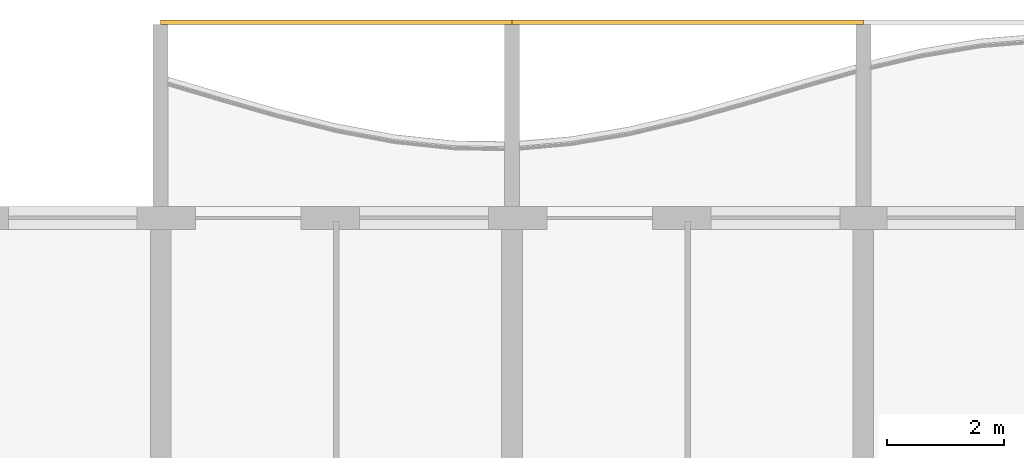
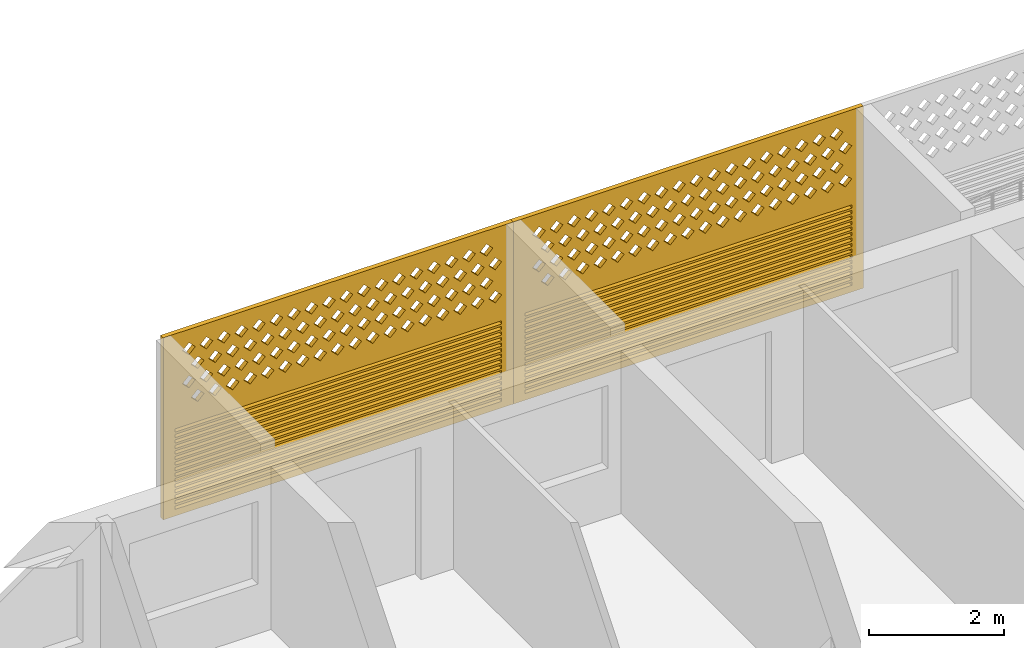
# One storey, part 20 of 24: 2 coverings.
"""IFC4 building model written with IfcOpenShell, lengths in metres."""

from ifc_helpers import new_model, si_unit, direction, frame, origin, place, context, subcontext, project, spatial, polyline, outline, extrude, source, transform, mapped, material, material_profile, profile_set, type_object, element, save


model = new_model("IFC4")

# Units and contexts
model_context = context("Model", 3, precision=1e-05, world=origin(), true_north=direction((0.0, 1.0)))
body_context = subcontext(model_context, "Body", "Model", "MODEL_VIEW")
ifc_project = project(units=[si_unit("LENGTHUNIT", "METRE"), si_unit("AREAUNIT", "SQUARE_METRE"), si_unit("VOLUMEUNIT", "CUBIC_METRE"), si_unit("PLANEANGLEUNIT", "RADIAN"), si_unit("MASSUNIT", "GRAM", prefix="KILO")], contexts=[model_context])

# Site, building, storey
site_placement = place(None, origin())
site = spatial("IfcSite", under=ifc_project, at=site_placement, CompositionType="ELEMENT")
building_placement = place(site_placement, origin())
building = spatial("IfcBuilding", under=site, at=building_placement, Name="Poui Terraces", CompositionType="ELEMENT")
storey_placement = place(building_placement, frame((0.0, 0.0, 112.5)))
storey = spatial("IfcBuildingStorey", under=building, at=storey_placement, Name="L31", CompositionType="ELEMENT", Elevation=112.5)

# Coverings
ifc_material = material(Name="Terracotta screen", Category="masonry")
ifc_material_profile = material_profile(ifc_material, outline(polyline([(-3.0, -1.64990234375), (3.0, -1.64990234375), (3.0, 1.64990234375), (-3.0, 1.64990234375), (-3.0, -1.64990234375)]), holes=[polyline([(-2.800048828125, 0.39990234375), (-2.68994140625, 0.2900390625), (-2.580078125, 0.39990234375), (-2.68994140625, 0.510009765625), (-2.800048828125, 0.39990234375)]), polyline([(-2.5, 0.39990234375), (-2.389892578125, 0.2900390625), (-2.280029296875, 0.39990234375), (-2.389892578125, 0.510009765625), (-2.5, 0.39990234375)]), polyline([(-2.199951171875, 0.39990234375), (-2.090087890625, 0.2900390625), (-1.97998046875, 0.39990234375), (-2.090087890625, 0.510009765625), (-2.199951171875, 0.39990234375)]), polyline([(-1.89990234375, 0.39990234375), (-1.7900390625, 0.2900390625), (-1.679931640625, 0.39990234375), (-1.7900390625, 0.510009765625), (-1.89990234375, 0.39990234375)]), polyline([(-1.60009765625, 0.39990234375), (-1.489990234375, 0.2900390625), (-1.3798828125, 0.39990234375), (-1.489990234375, 0.510009765625), (-1.60009765625, 0.39990234375)]), polyline([(-1.300048828125, 0.39990234375), (-1.18994140625, 0.2900390625), (-1.080078125, 0.39990234375), (-1.18994140625, 0.510009765625), (-1.300048828125, 0.39990234375)]), polyline([(-1.0, 0.39990234375), (-0.889892578125, 0.2900390625), (-0.780029296875, 0.39990234375), (-0.889892578125, 0.510009765625), (-1.0, 0.39990234375)]), polyline([(-0.699951171875, 0.39990234375), (-0.590087890625, 0.2900390625), (-0.47998046875, 0.39990234375), (-0.590087890625, 0.510009765625), (-0.699951171875, 0.39990234375)]), polyline([(-0.39990234375, 0.39990234375), (-0.2900390625, 0.2900390625), (-0.179931640625, 0.39990234375), (-0.2900390625, 0.510009765625), (-0.39990234375, 0.39990234375)]), polyline([(-0.10009765625, 0.39990234375), (0.010009765625, 0.2900390625), (0.1201171875, 0.39990234375), (0.010009765625, 0.510009765625), (-0.10009765625, 0.39990234375)]), polyline([(0.199951171875, 0.39990234375), (0.31005859375, 0.2900390625), (0.419921875, 0.39990234375), (0.31005859375, 0.510009765625), (0.199951171875, 0.39990234375)]), polyline([(0.5, 0.39990234375), (0.610107421875, 0.2900390625), (0.719970703125, 0.39990234375), (0.610107421875, 0.510009765625), (0.5, 0.39990234375)]), polyline([(0.800048828125, 0.39990234375), (0.909912109375, 0.2900390625), (1.02001953125, 0.39990234375), (0.909912109375, 0.510009765625), (0.800048828125, 0.39990234375)]), polyline([(1.10009765625, 0.39990234375), (1.2099609375, 0.2900390625), (1.320068359375, 0.39990234375), (1.2099609375, 0.510009765625), (1.10009765625, 0.39990234375)]), polyline([(1.39990234375, 0.39990234375), (1.510009765625, 0.2900390625), (1.6201171875, 0.39990234375), (1.510009765625, 0.510009765625), (1.39990234375, 0.39990234375)]), polyline([(1.699951171875, 0.39990234375), (1.81005859375, 0.2900390625), (1.919921875, 0.39990234375), (1.81005859375, 0.510009765625), (1.699951171875, 0.39990234375)]), polyline([(2.0, 0.39990234375), (2.110107421875, 0.2900390625), (2.219970703125, 0.39990234375), (2.110107421875, 0.510009765625), (2.0, 0.39990234375)]), polyline([(2.300048828125, 0.39990234375), (2.409912109375, 0.2900390625), (2.52001953125, 0.39990234375), (2.409912109375, 0.510009765625), (2.300048828125, 0.39990234375)]), polyline([(-2.64990234375, 0.699951171875), (-2.5400390625, 0.590087890625), (-2.429931640625, 0.699951171875), (-2.5400390625, 0.81005859375), (-2.64990234375, 0.699951171875)]), polyline([(-2.35009765625, 0.699951171875), (-2.239990234375, 0.590087890625), (-2.1298828125, 0.699951171875), (-2.239990234375, 0.81005859375), (-2.35009765625, 0.699951171875)]), polyline([(-2.050048828125, 0.699951171875), (-1.93994140625, 0.590087890625), (-1.830078125, 0.699951171875), (-1.93994140625, 0.81005859375), (-2.050048828125, 0.699951171875)]), polyline([(-1.75, 0.699951171875), (-1.639892578125, 0.590087890625), (-1.530029296875, 0.699951171875), (-1.639892578125, 0.81005859375), (-1.75, 0.699951171875)]), polyline([(-1.449951171875, 0.699951171875), (-1.340087890625, 0.590087890625), (-1.22998046875, 0.699951171875), (-1.340087890625, 0.81005859375), (-1.449951171875, 0.699951171875)]), polyline([(-1.14990234375, 0.699951171875), (-1.0400390625, 0.590087890625), (-0.929931640625, 0.699951171875), (-1.0400390625, 0.81005859375), (-1.14990234375, 0.699951171875)]), polyline([(-0.85009765625, 0.699951171875), (-0.739990234375, 0.590087890625), (-0.6298828125, 0.699951171875), (-0.739990234375, 0.81005859375), (-0.85009765625, 0.699951171875)]), polyline([(-0.550048828125, 0.699951171875), (-0.43994140625, 0.590087890625), (-0.330078125, 0.699951171875), (-0.43994140625, 0.81005859375), (-0.550048828125, 0.699951171875)]), polyline([(-0.25, 0.699951171875), (-0.139892578125, 0.590087890625), (-0.030029296875, 0.699951171875), (-0.139892578125, 0.81005859375), (-0.25, 0.699951171875)]), polyline([(0.050048828125, 0.699951171875), (0.159912109375, 0.590087890625), (0.27001953125, 0.699951171875), (0.159912109375, 0.81005859375), (0.050048828125, 0.699951171875)]), polyline([(0.35009765625, 0.699951171875), (0.4599609375, 0.590087890625), (0.570068359375, 0.699951171875), (0.4599609375, 0.81005859375), (0.35009765625, 0.699951171875)]), polyline([(0.64990234375, 0.699951171875), (0.760009765625, 0.590087890625), (0.8701171875, 0.699951171875), (0.760009765625, 0.81005859375), (0.64990234375, 0.699951171875)]), polyline([(0.949951171875, 0.699951171875), (1.06005859375, 0.590087890625), (1.169921875, 0.699951171875), (1.06005859375, 0.81005859375), (0.949951171875, 0.699951171875)]), polyline([(1.25, 0.699951171875), (1.360107421875, 0.590087890625), (1.469970703125, 0.699951171875), (1.360107421875, 0.81005859375), (1.25, 0.699951171875)]), polyline([(1.550048828125, 0.699951171875), (1.659912109375, 0.590087890625), (1.77001953125, 0.699951171875), (1.659912109375, 0.81005859375), (1.550048828125, 0.699951171875)]), polyline([(1.85009765625, 0.699951171875), (1.9599609375, 0.590087890625), (2.070068359375, 0.699951171875), (1.9599609375, 0.81005859375), (1.85009765625, 0.699951171875)]), polyline([(2.14990234375, 0.699951171875), (2.260009765625, 0.590087890625), (2.3701171875, 0.699951171875), (2.260009765625, 0.81005859375), (2.14990234375, 0.699951171875)]), polyline([(2.449951171875, 0.699951171875), (2.56005859375, 0.590087890625), (2.669921875, 0.699951171875), (2.56005859375, 0.81005859375), (2.449951171875, 0.699951171875)]), polyline([(-2.800048828125, 1.0), (-2.68994140625, 0.889892578125), (-2.580078125, 1.0), (-2.68994140625, 1.110107421875), (-2.800048828125, 1.0)]), polyline([(-2.5, 1.0), (-2.389892578125, 0.889892578125), (-2.280029296875, 1.0), (-2.389892578125, 1.110107421875), (-2.5, 1.0)]), polyline([(-2.199951171875, 1.0), (-2.090087890625, 0.889892578125), (-1.97998046875, 1.0), (-2.090087890625, 1.110107421875), (-2.199951171875, 1.0)]), polyline([(-1.89990234375, 1.0), (-1.7900390625, 0.889892578125), (-1.679931640625, 1.0), (-1.7900390625, 1.110107421875), (-1.89990234375, 1.0)]), polyline([(-1.60009765625, 1.0), (-1.489990234375, 0.889892578125), (-1.3798828125, 1.0), (-1.489990234375, 1.110107421875), (-1.60009765625, 1.0)]), polyline([(-1.300048828125, 1.0), (-1.18994140625, 0.889892578125), (-1.080078125, 1.0), (-1.18994140625, 1.110107421875), (-1.300048828125, 1.0)]), polyline([(-1.0, 1.0), (-0.889892578125, 0.889892578125), (-0.780029296875, 1.0), (-0.889892578125, 1.110107421875), (-1.0, 1.0)]), polyline([(-0.699951171875, 1.0), (-0.590087890625, 0.889892578125), (-0.47998046875, 1.0), (-0.590087890625, 1.110107421875), (-0.699951171875, 1.0)]), polyline([(-0.39990234375, 1.0), (-0.2900390625, 0.889892578125), (-0.179931640625, 1.0), (-0.2900390625, 1.110107421875), (-0.39990234375, 1.0)]), polyline([(-0.10009765625, 1.0), (0.010009765625, 0.889892578125), (0.1201171875, 1.0), (0.010009765625, 1.110107421875), (-0.10009765625, 1.0)]), polyline([(0.199951171875, 1.0), (0.31005859375, 0.889892578125), (0.419921875, 1.0), (0.31005859375, 1.110107421875), (0.199951171875, 1.0)]), polyline([(0.5, 1.0), (0.610107421875, 0.889892578125), (0.719970703125, 1.0), (0.610107421875, 1.110107421875), (0.5, 1.0)]), polyline([(0.800048828125, 1.0), (0.909912109375, 0.889892578125), (1.02001953125, 1.0), (0.909912109375, 1.110107421875), (0.800048828125, 1.0)]), polyline([(1.10009765625, 1.0), (1.2099609375, 0.889892578125), (1.320068359375, 1.0), (1.2099609375, 1.110107421875), (1.10009765625, 1.0)]), polyline([(1.39990234375, 1.0), (1.510009765625, 0.889892578125), (1.6201171875, 1.0), (1.510009765625, 1.110107421875), (1.39990234375, 1.0)]), polyline([(1.699951171875, 1.0), (1.81005859375, 0.889892578125), (1.919921875, 1.0), (1.81005859375, 1.110107421875), (1.699951171875, 1.0)]), polyline([(2.0, 1.0), (2.110107421875, 0.889892578125), (2.219970703125, 1.0), (2.110107421875, 1.110107421875), (2.0, 1.0)]), polyline([(2.300048828125, 1.0), (2.409912109375, 0.889892578125), (2.52001953125, 1.0), (2.409912109375, 1.110107421875), (2.300048828125, 1.0)]), polyline([(-2.64990234375, 1.300048828125), (-2.5400390625, 1.18994140625), (-2.429931640625, 1.300048828125), (-2.5400390625, 1.409912109375), (-2.64990234375, 1.300048828125)]), polyline([(-2.35009765625, 1.300048828125), (-2.239990234375, 1.18994140625), (-2.1298828125, 1.300048828125), (-2.239990234375, 1.409912109375), (-2.35009765625, 1.300048828125)]), polyline([(-2.050048828125, 1.300048828125), (-1.93994140625, 1.18994140625), (-1.830078125, 1.300048828125), (-1.93994140625, 1.409912109375), (-2.050048828125, 1.300048828125)]), polyline([(-1.75, 1.300048828125), (-1.639892578125, 1.18994140625), (-1.530029296875, 1.300048828125), (-1.639892578125, 1.409912109375), (-1.75, 1.300048828125)]), polyline([(-1.449951171875, 1.300048828125), (-1.340087890625, 1.18994140625), (-1.22998046875, 1.300048828125), (-1.340087890625, 1.409912109375), (-1.449951171875, 1.300048828125)]), polyline([(-1.14990234375, 1.300048828125), (-1.0400390625, 1.18994140625), (-0.929931640625, 1.300048828125), (-1.0400390625, 1.409912109375), (-1.14990234375, 1.300048828125)]), polyline([(-0.85009765625, 1.300048828125), (-0.739990234375, 1.18994140625), (-0.6298828125, 1.300048828125), (-0.739990234375, 1.409912109375), (-0.85009765625, 1.300048828125)]), polyline([(-0.550048828125, 1.300048828125), (-0.43994140625, 1.18994140625), (-0.330078125, 1.300048828125), (-0.43994140625, 1.409912109375), (-0.550048828125, 1.300048828125)]), polyline([(-0.25, 1.300048828125), (-0.139892578125, 1.18994140625), (-0.030029296875, 1.300048828125), (-0.139892578125, 1.409912109375), (-0.25, 1.300048828125)]), polyline([(0.050048828125, 1.300048828125), (0.159912109375, 1.18994140625), (0.27001953125, 1.300048828125), (0.159912109375, 1.409912109375), (0.050048828125, 1.300048828125)]), polyline([(0.35009765625, 1.300048828125), (0.4599609375, 1.18994140625), (0.570068359375, 1.300048828125), (0.4599609375, 1.409912109375), (0.35009765625, 1.300048828125)]), polyline([(0.64990234375, 1.300048828125), (0.760009765625, 1.18994140625), (0.8701171875, 1.300048828125), (0.760009765625, 1.409912109375), (0.64990234375, 1.300048828125)]), polyline([(0.949951171875, 1.300048828125), (1.06005859375, 1.18994140625), (1.169921875, 1.300048828125), (1.06005859375, 1.409912109375), (0.949951171875, 1.300048828125)]), polyline([(1.25, 1.300048828125), (1.360107421875, 1.18994140625), (1.469970703125, 1.300048828125), (1.360107421875, 1.409912109375), (1.25, 1.300048828125)]), polyline([(1.550048828125, 1.300048828125), (1.659912109375, 1.18994140625), (1.77001953125, 1.300048828125), (1.659912109375, 1.409912109375), (1.550048828125, 1.300048828125)]), polyline([(1.85009765625, 1.300048828125), (1.9599609375, 1.18994140625), (2.070068359375, 1.300048828125), (1.9599609375, 1.409912109375), (1.85009765625, 1.300048828125)]), polyline([(2.14990234375, 1.300048828125), (2.260009765625, 1.18994140625), (2.3701171875, 1.300048828125), (2.260009765625, 1.409912109375), (2.14990234375, 1.300048828125)]), polyline([(2.449951171875, 1.300048828125), (2.56005859375, 1.18994140625), (2.669921875, 1.300048828125), (2.56005859375, 1.409912109375), (2.449951171875, 1.300048828125)]), polyline([(-2.800048828125, -1.530029296875), (2.800048828125, -1.530029296875), (2.800048828125, -1.469970703125), (-2.800048828125, -1.469970703125), (-2.800048828125, -1.530029296875)]), polyline([(-2.800048828125, -1.429931640625), (2.800048828125, -1.429931640625), (2.800048828125, -1.3701171875), (-2.800048828125, -1.3701171875), (-2.800048828125, -1.429931640625)]), polyline([(-2.800048828125, -1.330078125), (2.800048828125, -1.330078125), (2.800048828125, -1.27001953125), (-2.800048828125, -1.27001953125), (-2.800048828125, -1.330078125)]), polyline([(-2.800048828125, -1.22998046875), (2.800048828125, -1.22998046875), (2.800048828125, -1.169921875), (-2.800048828125, -1.169921875), (-2.800048828125, -1.22998046875)]), polyline([(-2.800048828125, -1.1298828125), (2.800048828125, -1.1298828125), (2.800048828125, -1.070068359375), (-2.800048828125, -1.070068359375), (-2.800048828125, -1.1298828125)]), polyline([(-2.800048828125, -1.030029296875), (2.800048828125, -1.030029296875), (2.800048828125, -0.969970703125), (-2.800048828125, -0.969970703125), (-2.800048828125, -1.030029296875)]), polyline([(-2.800048828125, -0.929931640625), (2.800048828125, -0.929931640625), (2.800048828125, -0.8701171875), (-2.800048828125, -0.8701171875), (-2.800048828125, -0.929931640625)]), polyline([(-2.800048828125, -0.830078125), (2.800048828125, -0.830078125), (2.800048828125, -0.77001953125), (-2.800048828125, -0.77001953125), (-2.800048828125, -0.830078125)]), polyline([(-2.800048828125, -0.72998046875), (2.800048828125, -0.72998046875), (2.800048828125, -0.669921875), (-2.800048828125, -0.669921875), (-2.800048828125, -0.72998046875)]), polyline([(-2.800048828125, -0.6298828125), (2.800048828125, -0.6298828125), (2.800048828125, -0.570068359375), (-2.800048828125, -0.570068359375), (-2.800048828125, -0.6298828125)]), polyline([(-2.800048828125, -0.530029296875), (2.800048828125, -0.530029296875), (2.800048828125, -0.469970703125), (-2.800048828125, -0.469970703125), (-2.800048828125, -0.530029296875)]), polyline([(-2.800048828125, -0.429931640625), (2.800048828125, -0.429931640625), (2.800048828125, -0.3701171875), (-2.800048828125, -0.3701171875), (-2.800048828125, -0.429931640625)]), polyline([(-2.800048828125, -0.330078125), (2.800048828125, -0.330078125), (2.800048828125, -0.27001953125), (-2.800048828125, -0.27001953125), (-2.800048828125, -0.330078125)]), polyline([(-2.800048828125, -0.22998046875), (2.800048828125, -0.22998046875), (2.800048828125, -0.169921875), (-2.800048828125, -0.169921875), (-2.800048828125, -0.22998046875)]), polyline([(-2.800048828125, -0.1298828125), (2.800048828125, -0.1298828125), (2.800048828125, -0.070068359375), (-2.800048828125, -0.070068359375), (-2.800048828125, -0.1298828125)])]), Name="TERRACOTTA SCREEN AND JALOUSIE LOUVRE 6000X3300")
ifc_profile_set = profile_set([ifc_material_profile], Name="Terracotta screen")
covering_type = type_object("IfcCoveringType", Name="TERRACOTTA SCREEN AND JALOUSIE LOUVRE 6000X3300", PredefinedType="CLADDING", material=ifc_profile_set)
shared_shape = source(origin(), body_context, "Body", "SweptSolid", [
    extrude(outline(polyline([(-3.0, -1.64990234375), (3.0, -1.64990234375), (3.0, 1.64990234375), (-3.0, 1.64990234375), (-3.0, -1.64990234375)]), holes=[polyline([(-2.800048828125, 0.39990234375), (-2.68994140625, 0.2900390625), (-2.580078125, 0.39990234375), (-2.68994140625, 0.510009765625), (-2.800048828125, 0.39990234375)]), polyline([(-2.5, 0.39990234375), (-2.389892578125, 0.2900390625), (-2.280029296875, 0.39990234375), (-2.389892578125, 0.510009765625), (-2.5, 0.39990234375)]), polyline([(-2.199951171875, 0.39990234375), (-2.090087890625, 0.2900390625), (-1.97998046875, 0.39990234375), (-2.090087890625, 0.510009765625), (-2.199951171875, 0.39990234375)]), polyline([(-1.89990234375, 0.39990234375), (-1.7900390625, 0.2900390625), (-1.679931640625, 0.39990234375), (-1.7900390625, 0.510009765625), (-1.89990234375, 0.39990234375)]), polyline([(-1.60009765625, 0.39990234375), (-1.489990234375, 0.2900390625), (-1.3798828125, 0.39990234375), (-1.489990234375, 0.510009765625), (-1.60009765625, 0.39990234375)]), polyline([(-1.300048828125, 0.39990234375), (-1.18994140625, 0.2900390625), (-1.080078125, 0.39990234375), (-1.18994140625, 0.510009765625), (-1.300048828125, 0.39990234375)]), polyline([(-1.0, 0.39990234375), (-0.889892578125, 0.2900390625), (-0.780029296875, 0.39990234375), (-0.889892578125, 0.510009765625), (-1.0, 0.39990234375)]), polyline([(-0.699951171875, 0.39990234375), (-0.590087890625, 0.2900390625), (-0.47998046875, 0.39990234375), (-0.590087890625, 0.510009765625), (-0.699951171875, 0.39990234375)]), polyline([(-0.39990234375, 0.39990234375), (-0.2900390625, 0.2900390625), (-0.179931640625, 0.39990234375), (-0.2900390625, 0.510009765625), (-0.39990234375, 0.39990234375)]), polyline([(-0.10009765625, 0.39990234375), (0.010009765625, 0.2900390625), (0.1201171875, 0.39990234375), (0.010009765625, 0.510009765625), (-0.10009765625, 0.39990234375)]), polyline([(0.199951171875, 0.39990234375), (0.31005859375, 0.2900390625), (0.419921875, 0.39990234375), (0.31005859375, 0.510009765625), (0.199951171875, 0.39990234375)]), polyline([(0.5, 0.39990234375), (0.610107421875, 0.2900390625), (0.719970703125, 0.39990234375), (0.610107421875, 0.510009765625), (0.5, 0.39990234375)]), polyline([(0.800048828125, 0.39990234375), (0.909912109375, 0.2900390625), (1.02001953125, 0.39990234375), (0.909912109375, 0.510009765625), (0.800048828125, 0.39990234375)]), polyline([(1.10009765625, 0.39990234375), (1.2099609375, 0.2900390625), (1.320068359375, 0.39990234375), (1.2099609375, 0.510009765625), (1.10009765625, 0.39990234375)]), polyline([(1.39990234375, 0.39990234375), (1.510009765625, 0.2900390625), (1.6201171875, 0.39990234375), (1.510009765625, 0.510009765625), (1.39990234375, 0.39990234375)]), polyline([(1.699951171875, 0.39990234375), (1.81005859375, 0.2900390625), (1.919921875, 0.39990234375), (1.81005859375, 0.510009765625), (1.699951171875, 0.39990234375)]), polyline([(2.0, 0.39990234375), (2.110107421875, 0.2900390625), (2.219970703125, 0.39990234375), (2.110107421875, 0.510009765625), (2.0, 0.39990234375)]), polyline([(2.300048828125, 0.39990234375), (2.409912109375, 0.2900390625), (2.52001953125, 0.39990234375), (2.409912109375, 0.510009765625), (2.300048828125, 0.39990234375)]), polyline([(-2.64990234375, 0.699951171875), (-2.5400390625, 0.590087890625), (-2.429931640625, 0.699951171875), (-2.5400390625, 0.81005859375), (-2.64990234375, 0.699951171875)]), polyline([(-2.35009765625, 0.699951171875), (-2.239990234375, 0.590087890625), (-2.1298828125, 0.699951171875), (-2.239990234375, 0.81005859375), (-2.35009765625, 0.699951171875)]), polyline([(-2.050048828125, 0.699951171875), (-1.93994140625, 0.590087890625), (-1.830078125, 0.699951171875), (-1.93994140625, 0.81005859375), (-2.050048828125, 0.699951171875)]), polyline([(-1.75, 0.699951171875), (-1.639892578125, 0.590087890625), (-1.530029296875, 0.699951171875), (-1.639892578125, 0.81005859375), (-1.75, 0.699951171875)]), polyline([(-1.449951171875, 0.699951171875), (-1.340087890625, 0.590087890625), (-1.22998046875, 0.699951171875), (-1.340087890625, 0.81005859375), (-1.449951171875, 0.699951171875)]), polyline([(-1.14990234375, 0.699951171875), (-1.0400390625, 0.590087890625), (-0.929931640625, 0.699951171875), (-1.0400390625, 0.81005859375), (-1.14990234375, 0.699951171875)]), polyline([(-0.85009765625, 0.699951171875), (-0.739990234375, 0.590087890625), (-0.6298828125, 0.699951171875), (-0.739990234375, 0.81005859375), (-0.85009765625, 0.699951171875)]), polyline([(-0.550048828125, 0.699951171875), (-0.43994140625, 0.590087890625), (-0.330078125, 0.699951171875), (-0.43994140625, 0.81005859375), (-0.550048828125, 0.699951171875)]), polyline([(-0.25, 0.699951171875), (-0.139892578125, 0.590087890625), (-0.030029296875, 0.699951171875), (-0.139892578125, 0.81005859375), (-0.25, 0.699951171875)]), polyline([(0.050048828125, 0.699951171875), (0.159912109375, 0.590087890625), (0.27001953125, 0.699951171875), (0.159912109375, 0.81005859375), (0.050048828125, 0.699951171875)]), polyline([(0.35009765625, 0.699951171875), (0.4599609375, 0.590087890625), (0.570068359375, 0.699951171875), (0.4599609375, 0.81005859375), (0.35009765625, 0.699951171875)]), polyline([(0.64990234375, 0.699951171875), (0.760009765625, 0.590087890625), (0.8701171875, 0.699951171875), (0.760009765625, 0.81005859375), (0.64990234375, 0.699951171875)]), polyline([(0.949951171875, 0.699951171875), (1.06005859375, 0.590087890625), (1.169921875, 0.699951171875), (1.06005859375, 0.81005859375), (0.949951171875, 0.699951171875)]), polyline([(1.25, 0.699951171875), (1.360107421875, 0.590087890625), (1.469970703125, 0.699951171875), (1.360107421875, 0.81005859375), (1.25, 0.699951171875)]), polyline([(1.550048828125, 0.699951171875), (1.659912109375, 0.590087890625), (1.77001953125, 0.699951171875), (1.659912109375, 0.81005859375), (1.550048828125, 0.699951171875)]), polyline([(1.85009765625, 0.699951171875), (1.9599609375, 0.590087890625), (2.070068359375, 0.699951171875), (1.9599609375, 0.81005859375), (1.85009765625, 0.699951171875)]), polyline([(2.14990234375, 0.699951171875), (2.260009765625, 0.590087890625), (2.3701171875, 0.699951171875), (2.260009765625, 0.81005859375), (2.14990234375, 0.699951171875)]), polyline([(2.449951171875, 0.699951171875), (2.56005859375, 0.590087890625), (2.669921875, 0.699951171875), (2.56005859375, 0.81005859375), (2.449951171875, 0.699951171875)]), polyline([(-2.800048828125, 1.0), (-2.68994140625, 0.889892578125), (-2.580078125, 1.0), (-2.68994140625, 1.110107421875), (-2.800048828125, 1.0)]), polyline([(-2.5, 1.0), (-2.389892578125, 0.889892578125), (-2.280029296875, 1.0), (-2.389892578125, 1.110107421875), (-2.5, 1.0)]), polyline([(-2.199951171875, 1.0), (-2.090087890625, 0.889892578125), (-1.97998046875, 1.0), (-2.090087890625, 1.110107421875), (-2.199951171875, 1.0)]), polyline([(-1.89990234375, 1.0), (-1.7900390625, 0.889892578125), (-1.679931640625, 1.0), (-1.7900390625, 1.110107421875), (-1.89990234375, 1.0)]), polyline([(-1.60009765625, 1.0), (-1.489990234375, 0.889892578125), (-1.3798828125, 1.0), (-1.489990234375, 1.110107421875), (-1.60009765625, 1.0)]), polyline([(-1.300048828125, 1.0), (-1.18994140625, 0.889892578125), (-1.080078125, 1.0), (-1.18994140625, 1.110107421875), (-1.300048828125, 1.0)]), polyline([(-1.0, 1.0), (-0.889892578125, 0.889892578125), (-0.780029296875, 1.0), (-0.889892578125, 1.110107421875), (-1.0, 1.0)]), polyline([(-0.699951171875, 1.0), (-0.590087890625, 0.889892578125), (-0.47998046875, 1.0), (-0.590087890625, 1.110107421875), (-0.699951171875, 1.0)]), polyline([(-0.39990234375, 1.0), (-0.2900390625, 0.889892578125), (-0.179931640625, 1.0), (-0.2900390625, 1.110107421875), (-0.39990234375, 1.0)]), polyline([(-0.10009765625, 1.0), (0.010009765625, 0.889892578125), (0.1201171875, 1.0), (0.010009765625, 1.110107421875), (-0.10009765625, 1.0)]), polyline([(0.199951171875, 1.0), (0.31005859375, 0.889892578125), (0.419921875, 1.0), (0.31005859375, 1.110107421875), (0.199951171875, 1.0)]), polyline([(0.5, 1.0), (0.610107421875, 0.889892578125), (0.719970703125, 1.0), (0.610107421875, 1.110107421875), (0.5, 1.0)]), polyline([(0.800048828125, 1.0), (0.909912109375, 0.889892578125), (1.02001953125, 1.0), (0.909912109375, 1.110107421875), (0.800048828125, 1.0)]), polyline([(1.10009765625, 1.0), (1.2099609375, 0.889892578125), (1.320068359375, 1.0), (1.2099609375, 1.110107421875), (1.10009765625, 1.0)]), polyline([(1.39990234375, 1.0), (1.510009765625, 0.889892578125), (1.6201171875, 1.0), (1.510009765625, 1.110107421875), (1.39990234375, 1.0)]), polyline([(1.699951171875, 1.0), (1.81005859375, 0.889892578125), (1.919921875, 1.0), (1.81005859375, 1.110107421875), (1.699951171875, 1.0)]), polyline([(2.0, 1.0), (2.110107421875, 0.889892578125), (2.219970703125, 1.0), (2.110107421875, 1.110107421875), (2.0, 1.0)]), polyline([(2.300048828125, 1.0), (2.409912109375, 0.889892578125), (2.52001953125, 1.0), (2.409912109375, 1.110107421875), (2.300048828125, 1.0)]), polyline([(-2.64990234375, 1.300048828125), (-2.5400390625, 1.18994140625), (-2.429931640625, 1.300048828125), (-2.5400390625, 1.409912109375), (-2.64990234375, 1.300048828125)]), polyline([(-2.35009765625, 1.300048828125), (-2.239990234375, 1.18994140625), (-2.1298828125, 1.300048828125), (-2.239990234375, 1.409912109375), (-2.35009765625, 1.300048828125)]), polyline([(-2.050048828125, 1.300048828125), (-1.93994140625, 1.18994140625), (-1.830078125, 1.300048828125), (-1.93994140625, 1.409912109375), (-2.050048828125, 1.300048828125)]), polyline([(-1.75, 1.300048828125), (-1.639892578125, 1.18994140625), (-1.530029296875, 1.300048828125), (-1.639892578125, 1.409912109375), (-1.75, 1.300048828125)]), polyline([(-1.449951171875, 1.300048828125), (-1.340087890625, 1.18994140625), (-1.22998046875, 1.300048828125), (-1.340087890625, 1.409912109375), (-1.449951171875, 1.300048828125)]), polyline([(-1.14990234375, 1.300048828125), (-1.0400390625, 1.18994140625), (-0.929931640625, 1.300048828125), (-1.0400390625, 1.409912109375), (-1.14990234375, 1.300048828125)]), polyline([(-0.85009765625, 1.300048828125), (-0.739990234375, 1.18994140625), (-0.6298828125, 1.300048828125), (-0.739990234375, 1.409912109375), (-0.85009765625, 1.300048828125)]), polyline([(-0.550048828125, 1.300048828125), (-0.43994140625, 1.18994140625), (-0.330078125, 1.300048828125), (-0.43994140625, 1.409912109375), (-0.550048828125, 1.300048828125)]), polyline([(-0.25, 1.300048828125), (-0.139892578125, 1.18994140625), (-0.030029296875, 1.300048828125), (-0.139892578125, 1.409912109375), (-0.25, 1.300048828125)]), polyline([(0.050048828125, 1.300048828125), (0.159912109375, 1.18994140625), (0.27001953125, 1.300048828125), (0.159912109375, 1.409912109375), (0.050048828125, 1.300048828125)]), polyline([(0.35009765625, 1.300048828125), (0.4599609375, 1.18994140625), (0.570068359375, 1.300048828125), (0.4599609375, 1.409912109375), (0.35009765625, 1.300048828125)]), polyline([(0.64990234375, 1.300048828125), (0.760009765625, 1.18994140625), (0.8701171875, 1.300048828125), (0.760009765625, 1.409912109375), (0.64990234375, 1.300048828125)]), polyline([(0.949951171875, 1.300048828125), (1.06005859375, 1.18994140625), (1.169921875, 1.300048828125), (1.06005859375, 1.409912109375), (0.949951171875, 1.300048828125)]), polyline([(1.25, 1.300048828125), (1.360107421875, 1.18994140625), (1.469970703125, 1.300048828125), (1.360107421875, 1.409912109375), (1.25, 1.300048828125)]), polyline([(1.550048828125, 1.300048828125), (1.659912109375, 1.18994140625), (1.77001953125, 1.300048828125), (1.659912109375, 1.409912109375), (1.550048828125, 1.300048828125)]), polyline([(1.85009765625, 1.300048828125), (1.9599609375, 1.18994140625), (2.070068359375, 1.300048828125), (1.9599609375, 1.409912109375), (1.85009765625, 1.300048828125)]), polyline([(2.14990234375, 1.300048828125), (2.260009765625, 1.18994140625), (2.3701171875, 1.300048828125), (2.260009765625, 1.409912109375), (2.14990234375, 1.300048828125)]), polyline([(2.449951171875, 1.300048828125), (2.56005859375, 1.18994140625), (2.669921875, 1.300048828125), (2.56005859375, 1.409912109375), (2.449951171875, 1.300048828125)]), polyline([(-2.800048828125, -1.530029296875), (2.800048828125, -1.530029296875), (2.800048828125, -1.469970703125), (-2.800048828125, -1.469970703125), (-2.800048828125, -1.530029296875)]), polyline([(-2.800048828125, -1.429931640625), (2.800048828125, -1.429931640625), (2.800048828125, -1.3701171875), (-2.800048828125, -1.3701171875), (-2.800048828125, -1.429931640625)]), polyline([(-2.800048828125, -1.330078125), (2.800048828125, -1.330078125), (2.800048828125, -1.27001953125), (-2.800048828125, -1.27001953125), (-2.800048828125, -1.330078125)]), polyline([(-2.800048828125, -1.22998046875), (2.800048828125, -1.22998046875), (2.800048828125, -1.169921875), (-2.800048828125, -1.169921875), (-2.800048828125, -1.22998046875)]), polyline([(-2.800048828125, -1.1298828125), (2.800048828125, -1.1298828125), (2.800048828125, -1.070068359375), (-2.800048828125, -1.070068359375), (-2.800048828125, -1.1298828125)]), polyline([(-2.800048828125, -1.030029296875), (2.800048828125, -1.030029296875), (2.800048828125, -0.969970703125), (-2.800048828125, -0.969970703125), (-2.800048828125, -1.030029296875)]), polyline([(-2.800048828125, -0.929931640625), (2.800048828125, -0.929931640625), (2.800048828125, -0.8701171875), (-2.800048828125, -0.8701171875), (-2.800048828125, -0.929931640625)]), polyline([(-2.800048828125, -0.830078125), (2.800048828125, -0.830078125), (2.800048828125, -0.77001953125), (-2.800048828125, -0.77001953125), (-2.800048828125, -0.830078125)]), polyline([(-2.800048828125, -0.72998046875), (2.800048828125, -0.72998046875), (2.800048828125, -0.669921875), (-2.800048828125, -0.669921875), (-2.800048828125, -0.72998046875)]), polyline([(-2.800048828125, -0.6298828125), (2.800048828125, -0.6298828125), (2.800048828125, -0.570068359375), (-2.800048828125, -0.570068359375), (-2.800048828125, -0.6298828125)]), polyline([(-2.800048828125, -0.530029296875), (2.800048828125, -0.530029296875), (2.800048828125, -0.469970703125), (-2.800048828125, -0.469970703125), (-2.800048828125, -0.530029296875)]), polyline([(-2.800048828125, -0.429931640625), (2.800048828125, -0.429931640625), (2.800048828125, -0.3701171875), (-2.800048828125, -0.3701171875), (-2.800048828125, -0.429931640625)]), polyline([(-2.800048828125, -0.330078125), (2.800048828125, -0.330078125), (2.800048828125, -0.27001953125), (-2.800048828125, -0.27001953125), (-2.800048828125, -0.330078125)]), polyline([(-2.800048828125, -0.22998046875), (2.800048828125, -0.22998046875), (2.800048828125, -0.169921875), (-2.800048828125, -0.169921875), (-2.800048828125, -0.22998046875)]), polyline([(-2.800048828125, -0.1298828125), (2.800048828125, -0.1298828125), (2.800048828125, -0.070068359375), (-2.800048828125, -0.070068359375), (-2.800048828125, -0.1298828125)])]), origin(), (0.0, 0.0, 1.0), 0.080078125),
])
for number, where, z_axis, x_axis, name in (
    (1, (51.0, 46.89990234375, 1.449951171875), (0.0, 1.0, 0.0), (-1.0, 0.0, 0.0), "SOLAR SCREEN AND JALOUSIE LOUVRE"),
    (2, (57.0, 46.89990234375, 1.449951171875), (0.0, 1.0, 0.0), (-1.0, 0.0, 0.0), "SOLAR SCREEN AND JALOUSIE LOUVRE"),
):
    element("IfcCovering", number, at=place(storey_placement, frame(where, z_axis=z_axis, x_axis=x_axis)), inside=storey, type_object=covering_type, Name=name, PredefinedType="CLADDING", context=body_context, shape_type="MappedRepresentation", body=[
        mapped(shared_shape, transform((0.0, 0.0, 0.0))),
    ])

save(model, "model.ifc")
